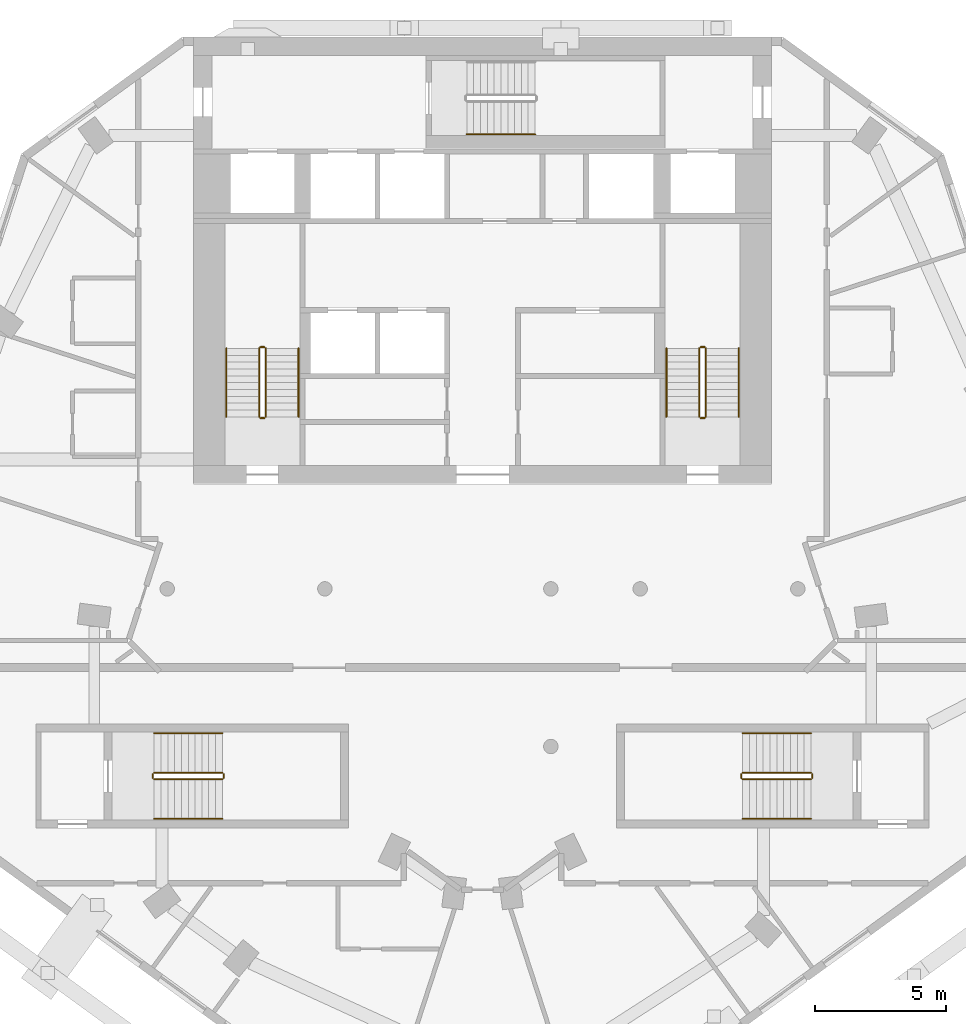
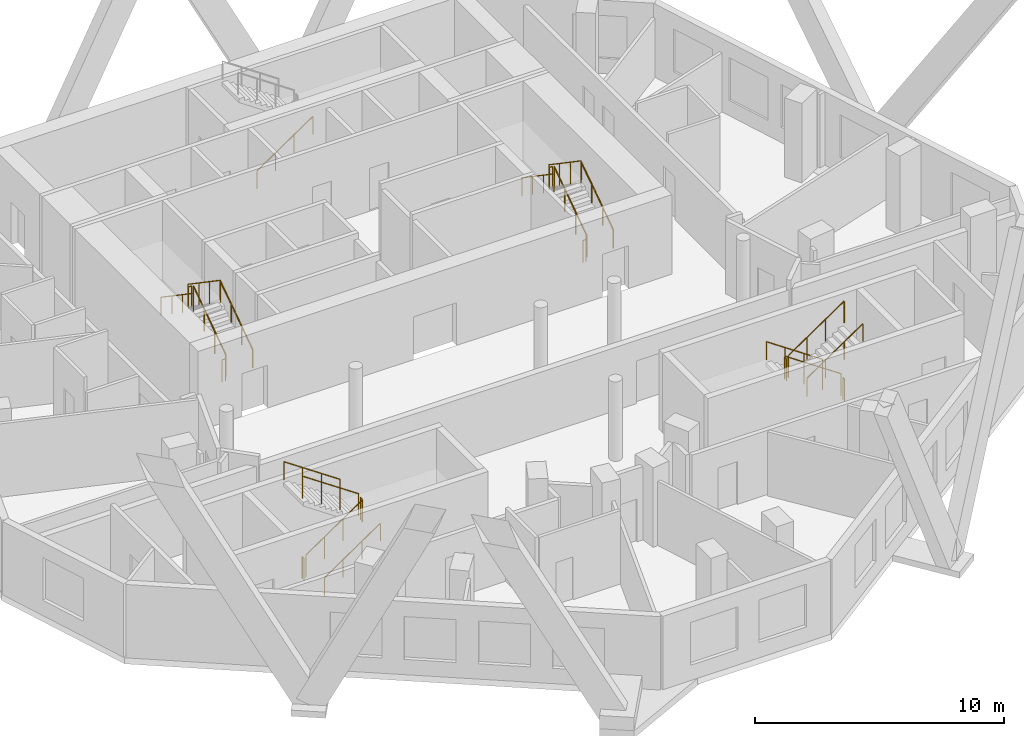
# One storey, part 8 of 9: 25 railings.
"""IFC4 building model written with IfcOpenShell, lengths in metres."""

from ifc_helpers import new_model, si_unit, direction, frame, origin, origin_2d, place, context, subcontext, project, spatial, circle, extrude, material, type_object, element, save


model = new_model("IFC4")

# Units and contexts
model_context = context("Model", 3, precision=1e-05, world=origin(), true_north=direction((0.0, 1.0)))
body_context = subcontext(model_context, "Body", "Model", "MODEL_VIEW")
ifc_project = project(units=[si_unit("LENGTHUNIT", "METRE"), si_unit("AREAUNIT", "SQUARE_METRE"), si_unit("VOLUMEUNIT", "CUBIC_METRE"), si_unit("PLANEANGLEUNIT", "RADIAN"), si_unit("MASSUNIT", "GRAM", prefix="KILO")], contexts=[model_context])

# Site, building, storey
site_placement = place(None, origin())
site = spatial("IfcSite", under=ifc_project, at=site_placement, CompositionType="ELEMENT")
building_placement = place(site_placement, origin())
building = spatial("IfcBuilding", under=site, at=building_placement, Name="White Candle Pilgrim Tower", CompositionType="ELEMENT")
storey_placement = place(building_placement, frame((0.0, 0.0, 260.0)))
storey = spatial("IfcBuildingStorey", under=building, at=storey_placement, Name="L61", CompositionType="ELEMENT", Elevation=260.0)

# Railings
ifc_material = material(Name="Stainless steel", Category="steel")
railing_type_1 = type_object("IfcRailingType", Name="Stair guard stainless steel 1100 mm", PredefinedType="GUARDRAIL", material=ifc_material)
railing_1_placement = place(storey_placement, frame((61.75, 73.550048828125, 0.17724609375)))
element("IfcRailing", 1, at=railing_1_placement, inside=storey, type_object=railing_type_1, Name="L61 ST1 stair guard 1", PredefinedType="GUARDRAIL", context=body_context, shape_type="SweptSolid", body=[
    extrude(circle(Radius=0.02392578125, at=origin_2d()), frame((0.0, 0.0, 1.076171875), z_axis=(0.0, 0.826215852431, 0.563353676824), x_axis=(-1.0, 0.0, 0.0)), (0.0, 0.0, 1.0), 3.146728515625),
    extrude(circle(Radius=0.02099609375, at=origin_2d()), origin(), (0.0, 0.0, 1.0), 1.052001953125),
    extrude(circle(Radius=0.02099609375, at=origin_2d()), frame((0.0, 0.86669921875, 0.5908203125)), (0.0, 0.0, 1.0), 1.052001953125),
    extrude(circle(Radius=0.02099609375, at=origin_2d()), frame((0.0, 1.733154296875, 1.181884765625)), (0.0, 0.0, 1.0), 1.052001953125),
    extrude(circle(Radius=0.02099609375, at=origin_2d()), frame((0.0, 2.599853515625, 1.772705078125)), (0.0, 0.0, 1.0), 1.052001953125),
])
railing_2_placement = place(storey_placement, frame((61.699951171875, 76.199951171875, 1.949951171875)))
element("IfcRailing", 2, at=railing_2_placement, inside=storey, type_object=railing_type_1, Name="L61 ST1 stair guard 2", PredefinedType="GUARDRAIL", context=body_context, shape_type="SweptSolid", body=[
    extrude(circle(Radius=0.02392578125, at=origin_2d()), frame((0.0, 0.0, 1.076171875), z_axis=(-1.0, 0.0, 0.0), x_axis=(0.0, -1.0, 0.0)), (0.0, 0.0, 1.0), 0.14990234375),
    extrude(circle(Radius=0.02099609375, at=origin_2d()), origin(), (0.0, 0.0, 1.0), 1.052001953125),
    extrude(circle(Radius=0.02099609375, at=origin_2d()), frame((-0.14990234375, 0.0, 0.0)), (0.0, 0.0, 1.0), 1.052001953125),
])
railing_3_placement = place(storey_placement, frame((61.5, 76.14990234375, 2.127197265625)))
element("IfcRailing", 3, at=railing_3_placement, inside=storey, type_object=railing_type_1, Name="L61 ST1 stair guard 3", PredefinedType="GUARDRAIL", context=body_context, shape_type="SweptSolid", body=[
    extrude(circle(Radius=0.02392578125, at=origin_2d()), frame((0.0, 0.0, 1.076171875), z_axis=(0.0, -0.826215852431, 0.563353676824), x_axis=(1.0, 0.0, 0.0)), (0.0, 0.0, 1.0), 3.146728515625),
    extrude(circle(Radius=0.02099609375, at=origin_2d()), origin(), (0.0, 0.0, 1.0), 1.052001953125),
    extrude(circle(Radius=0.02099609375, at=origin_2d()), frame((0.0, -0.86669921875, 0.5908203125)), (0.0, 0.0, 1.0), 1.052001953125),
    extrude(circle(Radius=0.02099609375, at=origin_2d()), frame((0.0, -1.733154296875, 1.181884765625)), (0.0, 0.0, 1.0), 1.052001953125),
    extrude(circle(Radius=0.02099609375, at=origin_2d()), frame((0.0, -2.599853515625, 1.772705078125)), (0.0, 0.0, 1.0), 1.052001953125),
])
railing_4_placement = place(storey_placement, frame((61.699951171875, 73.5, 0.0)))
element("IfcRailing", 4, at=railing_4_placement, inside=storey, type_object=railing_type_1, Name="L61 ST1 stair guard 4", PredefinedType="GUARDRAIL", context=body_context, shape_type="SweptSolid", body=[
    extrude(circle(Radius=0.02392578125, at=origin_2d()), frame((0.0, 0.0, 1.076171875), z_axis=(-1.0, 0.0, 0.0), x_axis=(0.0, -1.0, 0.0)), (0.0, 0.0, 1.0), 0.14990234375),
    extrude(circle(Radius=0.02099609375, at=origin_2d()), origin(), (0.0, 0.0, 1.0), 1.052001953125),
    extrude(circle(Radius=0.02099609375, at=origin_2d()), frame((-0.14990234375, 0.0, 0.0)), (0.0, 0.0, 1.0), 1.052001953125),
])
railing_5_placement = place(storey_placement, frame((78.5, 73.550048828125, 0.17724609375)))
element("IfcRailing", 5, at=railing_5_placement, inside=storey, type_object=railing_type_1, Name="L61 ST2 stair guard 1", PredefinedType="GUARDRAIL", context=body_context, shape_type="SweptSolid", body=[
    extrude(circle(Radius=0.02392578125, at=origin_2d()), frame((0.0, 0.0, 1.076171875), z_axis=(0.0, 0.826215852431, 0.563353676824), x_axis=(-1.0, 0.0, 0.0)), (0.0, 0.0, 1.0), 3.146728515625),
    extrude(circle(Radius=0.02099609375, at=origin_2d()), origin(), (0.0, 0.0, 1.0), 1.052001953125),
    extrude(circle(Radius=0.02099609375, at=origin_2d()), frame((0.0, 0.86669921875, 0.5908203125)), (0.0, 0.0, 1.0), 1.052001953125),
    extrude(circle(Radius=0.02099609375, at=origin_2d()), frame((0.0, 1.733154296875, 1.181884765625)), (0.0, 0.0, 1.0), 1.052001953125),
    extrude(circle(Radius=0.02099609375, at=origin_2d()), frame((0.0, 2.599853515625, 1.772705078125)), (0.0, 0.0, 1.0), 1.052001953125),
])
railing_6_placement = place(storey_placement, frame((78.449951171875, 76.199951171875, 1.949951171875)))
element("IfcRailing", 6, at=railing_6_placement, inside=storey, type_object=railing_type_1, Name="L61 ST2 stair guard 2", PredefinedType="GUARDRAIL", context=body_context, shape_type="SweptSolid", body=[
    extrude(circle(Radius=0.02392578125, at=origin_2d()), frame((0.0, 0.0, 1.076171875), z_axis=(-1.0, 0.0, 0.0), x_axis=(0.0, -1.0, 0.0)), (0.0, 0.0, 1.0), 0.14990234375),
    extrude(circle(Radius=0.02099609375, at=origin_2d()), origin(), (0.0, 0.0, 1.0), 1.052001953125),
    extrude(circle(Radius=0.02099609375, at=origin_2d()), frame((-0.14990234375, 0.0, 0.0)), (0.0, 0.0, 1.0), 1.052001953125),
])
railing_7_placement = place(storey_placement, frame((78.25, 76.14990234375, 2.127197265625)))
element("IfcRailing", 7, at=railing_7_placement, inside=storey, type_object=railing_type_1, Name="L61 ST2 stair guard 3", PredefinedType="GUARDRAIL", context=body_context, shape_type="SweptSolid", body=[
    extrude(circle(Radius=0.02392578125, at=origin_2d()), frame((0.0, 0.0, 1.076171875), z_axis=(0.0, -0.826215852431, 0.563353676824), x_axis=(1.0, 0.0, 0.0)), (0.0, 0.0, 1.0), 3.146728515625),
    extrude(circle(Radius=0.02099609375, at=origin_2d()), origin(), (0.0, 0.0, 1.0), 1.052001953125),
    extrude(circle(Radius=0.02099609375, at=origin_2d()), frame((0.0, -0.86669921875, 0.5908203125)), (0.0, 0.0, 1.0), 1.052001953125),
    extrude(circle(Radius=0.02099609375, at=origin_2d()), frame((0.0, -1.733154296875, 1.181884765625)), (0.0, 0.0, 1.0), 1.052001953125),
    extrude(circle(Radius=0.02099609375, at=origin_2d()), frame((0.0, -2.599853515625, 1.772705078125)), (0.0, 0.0, 1.0), 1.052001953125),
])
railing_8_placement = place(storey_placement, frame((78.449951171875, 73.5, 0.0)))
element("IfcRailing", 8, at=railing_8_placement, inside=storey, type_object=railing_type_1, Name="L61 ST2 stair guard 4", PredefinedType="GUARDRAIL", context=body_context, shape_type="SweptSolid", body=[
    extrude(circle(Radius=0.02392578125, at=origin_2d()), frame((0.0, 0.0, 1.076171875), z_axis=(-1.0, 0.0, 0.0), x_axis=(0.0, -1.0, 0.0)), (0.0, 0.0, 1.0), 0.14990234375),
    extrude(circle(Radius=0.02099609375, at=origin_2d()), origin(), (0.0, 0.0, 1.0), 1.052001953125),
    extrude(circle(Radius=0.02099609375, at=origin_2d()), frame((-0.14990234375, 0.0, 0.0)), (0.0, 0.0, 1.0), 1.052001953125),
])
railing_9_placement = place(storey_placement, frame((82.5, 60.0, 0.17724609375)))
element("IfcRailing", 9, at=railing_9_placement, inside=storey, type_object=railing_type_1, Name="L61 ST4 stair guard 1", PredefinedType="GUARDRAIL", context=body_context, shape_type="SweptSolid", body=[
    extrude(circle(Radius=0.02392578125, at=origin_2d()), frame((0.0, 0.0, 1.076171875), z_axis=(-0.826240473404, 0.0, 0.563317565952), x_axis=(0.0, -1.0, 0.0)), (0.0, 0.0, 1.0), 3.14697265625),
    extrude(circle(Radius=0.02099609375, at=origin_2d()), origin(), (0.0, 0.0, 1.0), 1.052001953125),
    extrude(circle(Radius=0.02099609375, at=origin_2d()), frame((-0.86669921875, 0.0, 0.5908203125)), (0.0, 0.0, 1.0), 1.052001953125),
    extrude(circle(Radius=0.02099609375, at=origin_2d()), frame((-1.7333984375, 0.0, 1.181884765625)), (0.0, 0.0, 1.0), 1.052001953125),
    extrude(circle(Radius=0.02099609375, at=origin_2d()), frame((-2.60009765625, 0.0, 1.772705078125)), (0.0, 0.0, 1.0), 1.052001953125),
])
railing_10_placement = place(storey_placement, frame((79.85009765625, 59.949951171875, 1.949951171875)))
element("IfcRailing", 10, at=railing_10_placement, inside=storey, type_object=railing_type_1, Name="L61 ST4 stair guard 2", PredefinedType="GUARDRAIL", context=body_context, shape_type="SweptSolid", body=[
    extrude(circle(Radius=0.02392578125, at=origin_2d()), frame((0.0, 0.0, 1.076171875), z_axis=(0.0, -1.0, 0.0), x_axis=(1.0, 0.0, 0.0)), (0.0, 0.0, 1.0), 0.14990234375),
    extrude(circle(Radius=0.02099609375, at=origin_2d()), origin(), (0.0, 0.0, 1.0), 1.052001953125),
    extrude(circle(Radius=0.02099609375, at=origin_2d()), frame((0.0, -0.14990234375, 0.0)), (0.0, 0.0, 1.0), 1.052001953125),
])
railing_11_placement = place(storey_placement, frame((79.89990234375, 59.75, 2.127197265625)))
element("IfcRailing", 11, at=railing_11_placement, inside=storey, type_object=railing_type_1, Name="L61 ST4 stair guard 3", PredefinedType="GUARDRAIL", context=body_context, shape_type="SweptSolid", body=[
    extrude(circle(Radius=0.02392578125, at=origin_2d()), frame((0.0, 0.0, 1.076171875), z_axis=(0.826240473404, 0.0, 0.563317565952), x_axis=(0.0, 1.0, 0.0)), (0.0, 0.0, 1.0), 3.14697265625),
    extrude(circle(Radius=0.02099609375, at=origin_2d()), origin(), (0.0, 0.0, 1.0), 1.052001953125),
    extrude(circle(Radius=0.02099609375, at=origin_2d()), frame((0.86669921875, 0.0, 0.5908203125)), (0.0, 0.0, 1.0), 1.052001953125),
    extrude(circle(Radius=0.02099609375, at=origin_2d()), frame((1.7333984375, 0.0, 1.181884765625)), (0.0, 0.0, 1.0), 1.052001953125),
    extrude(circle(Radius=0.02099609375, at=origin_2d()), frame((2.60009765625, 0.0, 1.772705078125)), (0.0, 0.0, 1.0), 1.052001953125),
])
railing_12_placement = place(storey_placement, frame((82.550048828125, 59.949951171875, 0.0)))
element("IfcRailing", 12, at=railing_12_placement, inside=storey, type_object=railing_type_1, Name="L61 ST4 stair guard 4", PredefinedType="GUARDRAIL", context=body_context, shape_type="SweptSolid", body=[
    extrude(circle(Radius=0.02392578125, at=origin_2d()), frame((0.0, 0.0, 1.076171875), z_axis=(0.0, -1.0, 0.0), x_axis=(1.0, 0.0, 0.0)), (0.0, 0.0, 1.0), 0.14990234375),
    extrude(circle(Radius=0.02099609375, at=origin_2d()), origin(), (0.0, 0.0, 1.0), 1.052001953125),
    extrude(circle(Radius=0.02099609375, at=origin_2d()), frame((0.0, -0.14990234375, 0.0)), (0.0, 0.0, 1.0), 1.052001953125),
])
railing_13_placement = place(storey_placement, frame((57.5, 59.75, 0.17724609375)))
element("IfcRailing", 13, at=railing_13_placement, inside=storey, type_object=railing_type_1, Name="L61 ST5 stair guard 1", PredefinedType="GUARDRAIL", context=body_context, shape_type="SweptSolid", body=[
    extrude(circle(Radius=0.02392578125, at=origin_2d()), frame((0.0, 0.0, 1.076171875), z_axis=(0.826240473404, 0.0, 0.563317565952), x_axis=(0.0, 1.0, 0.0)), (0.0, 0.0, 1.0), 3.14697265625),
    extrude(circle(Radius=0.02099609375, at=origin_2d()), origin(), (0.0, 0.0, 1.0), 1.052001953125),
    extrude(circle(Radius=0.02099609375, at=origin_2d()), frame((0.86669921875, 0.0, 0.5908203125)), (0.0, 0.0, 1.0), 1.052001953125),
    extrude(circle(Radius=0.02099609375, at=origin_2d()), frame((1.7333984375, 0.0, 1.181884765625)), (0.0, 0.0, 1.0), 1.052001953125),
    extrude(circle(Radius=0.02099609375, at=origin_2d()), frame((2.60009765625, 0.0, 1.772705078125)), (0.0, 0.0, 1.0), 1.052001953125),
])
railing_14_placement = place(storey_placement, frame((60.14990234375, 59.800048828125, 1.949951171875)))
element("IfcRailing", 14, at=railing_14_placement, inside=storey, type_object=railing_type_1, Name="L61 ST5 stair guard 2", PredefinedType="GUARDRAIL", context=body_context, shape_type="SweptSolid", body=[
    extrude(circle(Radius=0.02392578125, at=origin_2d()), frame((0.0, 0.0, 1.076171875), z_axis=(0.0, 1.0, 0.0), x_axis=(-1.0, 0.0, 0.0)), (0.0, 0.0, 1.0), 0.14990234375),
    extrude(circle(Radius=0.02099609375, at=origin_2d()), origin(), (0.0, 0.0, 1.0), 1.052001953125),
    extrude(circle(Radius=0.02099609375, at=origin_2d()), frame((0.0, 0.14990234375, 0.0)), (0.0, 0.0, 1.0), 1.052001953125),
])
railing_15_placement = place(storey_placement, frame((60.10009765625, 60.0, 2.127197265625)))
element("IfcRailing", 15, at=railing_15_placement, inside=storey, type_object=railing_type_1, Name="L61 ST5 stair guard 3", PredefinedType="GUARDRAIL", context=body_context, shape_type="SweptSolid", body=[
    extrude(circle(Radius=0.02392578125, at=origin_2d()), frame((0.0, 0.0, 1.076171875), z_axis=(-0.826240473404, 0.0, 0.563317565952), x_axis=(0.0, -1.0, 0.0)), (0.0, 0.0, 1.0), 3.14697265625),
    extrude(circle(Radius=0.02099609375, at=origin_2d()), origin(), (0.0, 0.0, 1.0), 1.052001953125),
    extrude(circle(Radius=0.02099609375, at=origin_2d()), frame((-0.86669921875, 0.0, 0.5908203125)), (0.0, 0.0, 1.0), 1.052001953125),
    extrude(circle(Radius=0.02099609375, at=origin_2d()), frame((-1.7333984375, 0.0, 1.181884765625)), (0.0, 0.0, 1.0), 1.052001953125),
    extrude(circle(Radius=0.02099609375, at=origin_2d()), frame((-2.60009765625, 0.0, 1.772705078125)), (0.0, 0.0, 1.0), 1.052001953125),
])
railing_16_placement = place(storey_placement, frame((57.449951171875, 59.800048828125, 0.0)))
element("IfcRailing", 16, at=railing_16_placement, inside=storey, type_object=railing_type_1, Name="L61 ST5 stair guard 4", PredefinedType="GUARDRAIL", context=body_context, shape_type="SweptSolid", body=[
    extrude(circle(Radius=0.02392578125, at=origin_2d()), frame((0.0, 0.0, 1.076171875), z_axis=(0.0, 1.0, 0.0), x_axis=(-1.0, 0.0, 0.0)), (0.0, 0.0, 1.0), 0.14990234375),
    extrude(circle(Radius=0.02099609375, at=origin_2d()), origin(), (0.0, 0.0, 1.0), 1.052001953125),
    extrude(circle(Radius=0.02099609375, at=origin_2d()), frame((0.0, 0.14990234375, 0.0)), (0.0, 0.0, 1.0), 1.052001953125),
])
railing_type_2 = type_object("IfcRailingType", Name="Stair handrail stainless steel", PredefinedType="HANDRAIL", material=ifc_material)
railing_17_placement = place(storey_placement, frame((63.0, 73.550048828125, 0.17724609375)))
element("IfcRailing", 17, at=railing_17_placement, inside=storey, type_object=railing_type_2, Name="L61 ST1 stair handrail 1", PredefinedType="HANDRAIL", context=body_context, shape_type="SweptSolid", body=[
    extrude(circle(Radius=0.02392578125, at=origin_2d()), frame((0.0, 0.0, 0.8759765625), z_axis=(0.0, 0.826215852431, 0.563353676824), x_axis=(-1.0, 0.0, 0.0)), (0.0, 0.0, 1.0), 3.146728515625),
    extrude(circle(Radius=0.02099609375, at=origin_2d()), origin(), (0.0, 0.0, 1.0), 0.851806640625),
    extrude(circle(Radius=0.02099609375, at=origin_2d()), frame((0.0, 0.86669921875, 0.5908203125)), (0.0, 0.0, 1.0), 0.851806640625),
    extrude(circle(Radius=0.02099609375, at=origin_2d()), frame((0.0, 1.733154296875, 1.181884765625)), (0.0, 0.0, 1.0), 0.851806640625),
    extrude(circle(Radius=0.02099609375, at=origin_2d()), frame((0.0, 2.599853515625, 1.772705078125)), (0.0, 0.0, 1.0), 0.851806640625),
])
railing_18_placement = place(storey_placement, frame((60.25, 76.14990234375, 2.127197265625)))
element("IfcRailing", 18, at=railing_18_placement, inside=storey, type_object=railing_type_2, Name="L61 ST1 stair handrail 2", PredefinedType="HANDRAIL", context=body_context, shape_type="SweptSolid", body=[
    extrude(circle(Radius=0.02392578125, at=origin_2d()), frame((0.0, 0.0, 0.8759765625), z_axis=(0.0, -0.826215852431, 0.563353676824), x_axis=(1.0, 0.0, 0.0)), (0.0, 0.0, 1.0), 3.146728515625),
    extrude(circle(Radius=0.02099609375, at=origin_2d()), origin(), (0.0, 0.0, 1.0), 0.851806640625),
    extrude(circle(Radius=0.02099609375, at=origin_2d()), frame((0.0, -0.86669921875, 0.5908203125)), (0.0, 0.0, 1.0), 0.851806640625),
    extrude(circle(Radius=0.02099609375, at=origin_2d()), frame((0.0, -1.733154296875, 1.181884765625)), (0.0, 0.0, 1.0), 0.851806640625),
    extrude(circle(Radius=0.02099609375, at=origin_2d()), frame((0.0, -2.599853515625, 1.772705078125)), (0.0, 0.0, 1.0), 0.851806640625),
])
railing_19_placement = place(storey_placement, frame((79.75, 73.550048828125, 0.17724609375)))
element("IfcRailing", 19, at=railing_19_placement, inside=storey, type_object=railing_type_2, Name="L61 ST2 stair handrail 1", PredefinedType="HANDRAIL", context=body_context, shape_type="SweptSolid", body=[
    extrude(circle(Radius=0.02392578125, at=origin_2d()), frame((0.0, 0.0, 0.8759765625), z_axis=(0.0, 0.826215852431, 0.563353676824), x_axis=(-1.0, 0.0, 0.0)), (0.0, 0.0, 1.0), 3.146728515625),
    extrude(circle(Radius=0.02099609375, at=origin_2d()), origin(), (0.0, 0.0, 1.0), 0.851806640625),
    extrude(circle(Radius=0.02099609375, at=origin_2d()), frame((0.0, 0.86669921875, 0.5908203125)), (0.0, 0.0, 1.0), 0.851806640625),
    extrude(circle(Radius=0.02099609375, at=origin_2d()), frame((0.0, 1.733154296875, 1.181884765625)), (0.0, 0.0, 1.0), 0.851806640625),
    extrude(circle(Radius=0.02099609375, at=origin_2d()), frame((0.0, 2.599853515625, 1.772705078125)), (0.0, 0.0, 1.0), 0.851806640625),
])
railing_20_placement = place(storey_placement, frame((77.0, 76.14990234375, 2.127197265625)))
element("IfcRailing", 20, at=railing_20_placement, inside=storey, type_object=railing_type_2, Name="L61 ST2 stair handrail 2", PredefinedType="HANDRAIL", context=body_context, shape_type="SweptSolid", body=[
    extrude(circle(Radius=0.02392578125, at=origin_2d()), frame((0.0, 0.0, 0.8759765625), z_axis=(0.0, -0.826215852431, 0.563353676824), x_axis=(1.0, 0.0, 0.0)), (0.0, 0.0, 1.0), 3.146728515625),
    extrude(circle(Radius=0.02099609375, at=origin_2d()), origin(), (0.0, 0.0, 1.0), 0.851806640625),
    extrude(circle(Radius=0.02099609375, at=origin_2d()), frame((0.0, -0.86669921875, 0.5908203125)), (0.0, 0.0, 1.0), 0.851806640625),
    extrude(circle(Radius=0.02099609375, at=origin_2d()), frame((0.0, -1.733154296875, 1.181884765625)), (0.0, 0.0, 1.0), 0.851806640625),
    extrude(circle(Radius=0.02099609375, at=origin_2d()), frame((0.0, -2.599853515625, 1.772705078125)), (0.0, 0.0, 1.0), 0.851806640625),
])
railing_21_placement = place(storey_placement, frame((69.39990234375, 84.300048828125, 0.17724609375)))
element("IfcRailing", 21, at=railing_21_placement, inside=storey, type_object=railing_type_2, Name="L61 ST3 stair handrail 1", PredefinedType="HANDRAIL", context=body_context, shape_type="SweptSolid", body=[
    extrude(circle(Radius=0.02392578125, at=origin_2d()), frame((0.0, 0.0, 0.8759765625), z_axis=(0.826240473404, 0.0, 0.563317565952), x_axis=(0.0, 1.0, 0.0)), (0.0, 0.0, 1.0), 3.14697265625),
    extrude(circle(Radius=0.02099609375, at=origin_2d()), origin(), (0.0, 0.0, 1.0), 0.851806640625),
    extrude(circle(Radius=0.02099609375, at=origin_2d()), frame((0.86669921875, 0.0, 0.5908203125)), (0.0, 0.0, 1.0), 0.851806640625),
    extrude(circle(Radius=0.02099609375, at=origin_2d()), frame((1.7333984375, 0.0, 1.181884765625)), (0.0, 0.0, 1.0), 0.851806640625),
    extrude(circle(Radius=0.02099609375, at=origin_2d()), frame((2.60009765625, 0.0, 1.772705078125)), (0.0, 0.0, 1.0), 0.851806640625),
])
railing_22_placement = place(storey_placement, frame((82.5, 61.5, 0.17724609375)))
element("IfcRailing", 22, at=railing_22_placement, inside=storey, type_object=railing_type_2, Name="L61 ST4 stair handrail 1", PredefinedType="HANDRAIL", context=body_context, shape_type="SweptSolid", body=[
    extrude(circle(Radius=0.02392578125, at=origin_2d()), frame((0.0, 0.0, 0.8759765625), z_axis=(-0.826240473404, 0.0, 0.563317565952), x_axis=(0.0, -1.0, 0.0)), (0.0, 0.0, 1.0), 3.14697265625),
    extrude(circle(Radius=0.02099609375, at=origin_2d()), origin(), (0.0, 0.0, 1.0), 0.851806640625),
    extrude(circle(Radius=0.02099609375, at=origin_2d()), frame((-0.86669921875, 0.0, 0.5908203125)), (0.0, 0.0, 1.0), 0.851806640625),
    extrude(circle(Radius=0.02099609375, at=origin_2d()), frame((-1.7333984375, 0.0, 1.181884765625)), (0.0, 0.0, 1.0), 0.851806640625),
    extrude(circle(Radius=0.02099609375, at=origin_2d()), frame((-2.60009765625, 0.0, 1.772705078125)), (0.0, 0.0, 1.0), 0.851806640625),
])
for number, where, name in (
    (23, (79.89990234375, 58.25, 2.127197265625), "L61 ST4 stair handrail 2"),
    (24, (57.5, 58.25, 0.17724609375), "L61 ST5 stair handrail 1"),
):
    element("IfcRailing", number, at=place(storey_placement, frame(where)), inside=storey, type_object=railing_type_2, Name=name, PredefinedType="HANDRAIL", context=body_context, shape_type="SweptSolid", body=[
        extrude(circle(Radius=0.02392578125, at=origin_2d()), frame((0.0, 0.0, 0.8759765625), z_axis=(0.826240473404, 0.0, 0.563317565952), x_axis=(0.0, 1.0, 0.0)), (0.0, 0.0, 1.0), 3.14697265625),
        extrude(circle(Radius=0.02099609375, at=origin_2d()), origin(), (0.0, 0.0, 1.0), 0.851806640625),
        extrude(circle(Radius=0.02099609375, at=origin_2d()), frame((0.86669921875, 0.0, 0.5908203125)), (0.0, 0.0, 1.0), 0.851806640625),
        extrude(circle(Radius=0.02099609375, at=origin_2d()), frame((1.7333984375, 0.0, 1.181884765625)), (0.0, 0.0, 1.0), 0.851806640625),
        extrude(circle(Radius=0.02099609375, at=origin_2d()), frame((2.60009765625, 0.0, 1.772705078125)), (0.0, 0.0, 1.0), 0.851806640625),
    ])
railing_23_placement = place(storey_placement, frame((60.10009765625, 61.5, 2.127197265625)))
element("IfcRailing", 25, at=railing_23_placement, inside=storey, type_object=railing_type_2, Name="L61 ST5 stair handrail 2", PredefinedType="HANDRAIL", context=body_context, shape_type="SweptSolid", body=[
    extrude(circle(Radius=0.02392578125, at=origin_2d()), frame((0.0, 0.0, 0.8759765625), z_axis=(-0.826240473404, 0.0, 0.563317565952), x_axis=(0.0, -1.0, 0.0)), (0.0, 0.0, 1.0), 3.14697265625),
    extrude(circle(Radius=0.02099609375, at=origin_2d()), origin(), (0.0, 0.0, 1.0), 0.851806640625),
    extrude(circle(Radius=0.02099609375, at=origin_2d()), frame((-0.86669921875, 0.0, 0.5908203125)), (0.0, 0.0, 1.0), 0.851806640625),
    extrude(circle(Radius=0.02099609375, at=origin_2d()), frame((-1.7333984375, 0.0, 1.181884765625)), (0.0, 0.0, 1.0), 0.851806640625),
    extrude(circle(Radius=0.02099609375, at=origin_2d()), frame((-2.60009765625, 0.0, 1.772705078125)), (0.0, 0.0, 1.0), 0.851806640625),
])

save(model, "model.ifc")
